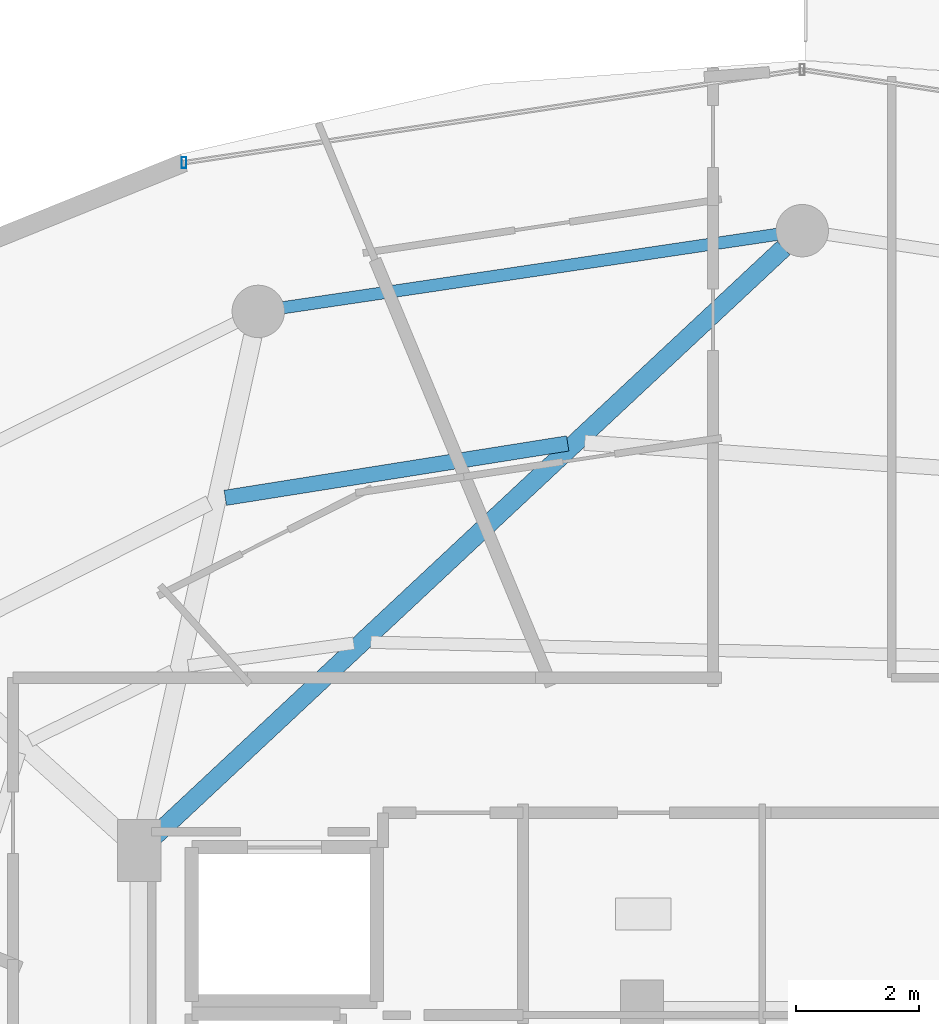
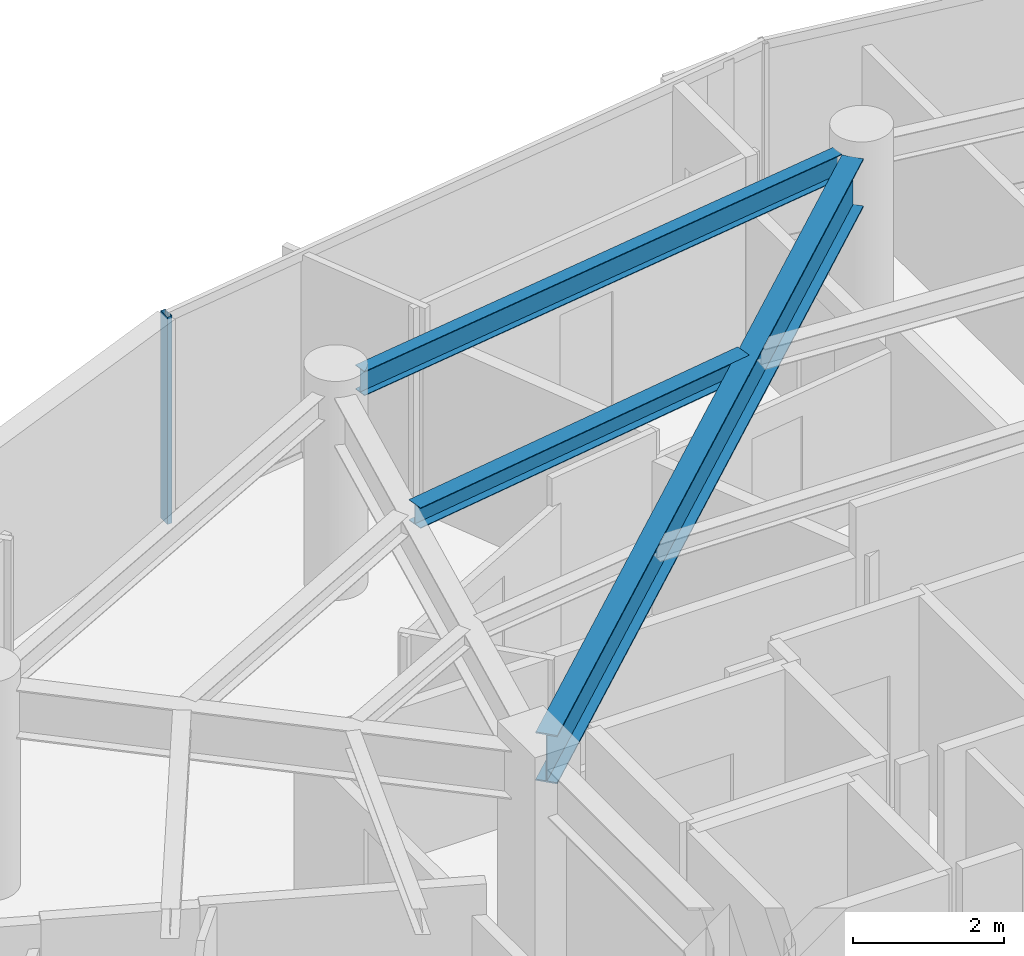
# One storey, part 18 of 31: 3 beams, 1 member, 1 element without a shape of its own.
"""IFC4 building model written with IfcOpenShell, lengths in metres."""

from ifc_helpers import new_model, si_unit, direction, frame, origin, origin_2d, place, context, subcontext, project, spatial, hollow_rectangle, i_section, extrude, material, material_profile, profile_set, type_object, element, aggregate, save


model = new_model("IFC4")

# Units and contexts
model_context = context("Model", 3, precision=1e-05, world=origin(), true_north=direction((0.0, 1.0)))
body_context = subcontext(model_context, "Body", "Model", "MODEL_VIEW")
ifc_project = project(units=[si_unit("LENGTHUNIT", "METRE"), si_unit("AREAUNIT", "SQUARE_METRE"), si_unit("VOLUMEUNIT", "CUBIC_METRE"), si_unit("PLANEANGLEUNIT", "RADIAN"), si_unit("MASSUNIT", "GRAM", prefix="KILO")], contexts=[model_context])

# Site, building, storey
site_placement = place(None, origin())
site = spatial("IfcSite", under=ifc_project, at=site_placement, CompositionType="ELEMENT")
building_placement = place(site_placement, origin())
building = spatial("IfcBuilding", under=site, at=building_placement, Name="Vorneva Point Tower", CompositionType="ELEMENT")
storey_placement = place(building_placement, frame((0.0, 0.0, 266.199951171875)))
storey = spatial("IfcBuildingStorey", under=building, at=storey_placement, Name="L72", CompositionType="ELEMENT", Elevation=266.199951171875)

# Beams
ifc_material_1 = material(Name="Steel S355", Category="steel")
ifc_material_profile_1 = material_profile(ifc_material_1, i_section(OverallWidth=0.300048828125, OverallDepth=0.7880859375, WebThickness=0.014404296875, FlangeThickness=0.02197265625, at=origin_2d()), Name="80Sh1")
ifc_profile_set_1 = profile_set([ifc_material_profile_1], Name="Steel S355")
beam_type_1 = type_object("IfcBeamType", Name="BM-GRD-80Sh1", PredefinedType="USERDEFINED", material=ifc_profile_set_1)
beam_1_placement = place(storey_placement, frame((37.6982421875, 42.91796875, 2.89599609375), z_axis=(-0.730485790946, -0.682927894602, 0.0), x_axis=(0.682927894602, -0.730485790946, 0.0)))
element("IfcBeam", 1, at=beam_1_placement, inside=storey, type_object=beam_type_1, Name="L72 Radial Primary Girder 05", ObjectType="GIRDER", PredefinedType="USERDEFINED", context=body_context, shape_type="SweptSolid", body=[
    extrude(i_section(OverallWidth=0.300048828125, OverallDepth=0.7880859375, WebThickness=0.014404296875, FlangeThickness=0.02197265625, at=origin_2d()), origin(), (0.0, 0.0, 1.0), 13.963134765625),
])
ifc_material_profile_2 = material_profile(ifc_material_1, i_section(OverallWidth=0.2490234375, OverallDepth=0.333984375, WebThickness=0.008056640625, FlangeThickness=0.010986328125, at=origin_2d()), Name="35Sh1")
ifc_profile_set_2 = profile_set([ifc_material_profile_2], Name="Steel S355")
beam_type_2 = type_object("IfcBeamType", Name="BM-SEC-35Sh1", PredefinedType="BEAM", material=ifc_profile_set_2)
beam_2_placement = place(storey_placement, frame((34.196044921875, 39.74951171875, 3.123046875), z_axis=(-0.987609689716, -0.156930241762, 0.0), x_axis=(0.156930241762, -0.987609689716, 0.0)))
element("IfcBeam", 2, at=beam_2_placement, inside=storey, type_object=beam_type_2, Name="L72 Secondary Floor Beam 1.05", PredefinedType="BEAM", context=body_context, shape_type="SweptSolid", body=[
    extrude(i_section(OverallWidth=0.2490234375, OverallDepth=0.333984375, WebThickness=0.008056640625, FlangeThickness=0.010986328125, at=origin_2d()), origin(), (0.0, 0.0, 1.0), 5.622314453125),
])
ifc_material_profile_3 = material_profile(ifc_material_1, i_section(OverallWidth=0.198974609375, OverallDepth=0.39599609375, WebThickness=0.007080078125, FlangeThickness=0.010986328125, at=origin_2d()), Name="40B1")
ifc_profile_set_3 = profile_set([ifc_material_profile_3], Name="Steel S355")
beam_type_3 = type_object("IfcBeamType", Name="BM-SPN-40B1", PredefinedType="SPANDREL", material=ifc_profile_set_3)
beam_3_placement = place(storey_placement, frame((37.594482421875, 43.139892578125, 3.092041015625), z_axis=(-0.989161657331, -0.146830567886, 0.0), x_axis=(0.146830567886, -0.989161657331, 0.0)))
element("IfcBeam", 3, at=beam_3_placement, inside=storey, type_object=beam_type_3, Name="L72 Perimeter Spandrel Ring Beam 05", PredefinedType="SPANDREL", context=body_context, shape_type="SweptSolid", body=[
    extrude(i_section(OverallWidth=0.198974609375, OverallDepth=0.39599609375, WebThickness=0.007080078125, FlangeThickness=0.010986328125, at=origin_2d()), origin(), (0.0, 0.0, 1.0), 8.097412109375),
])

# Curtain wall, member
ifc_material_2 = material(Name="Pale anodised aluminium", Category="aluminium")
curtain_wall_type = type_object("IfcCurtainWallType", Name="CW-RES-SYS", PredefinedType="NOTDEFINED", material=ifc_material_2)
curtain_wall_placement = place(storey_placement, origin())
curtain_wall = element("IfcCurtainWall", 4, at=curtain_wall_placement, inside=storey, type_object=curtain_wall_type, Name="L72 Unitised Curtain Wall CW-L72-R02", PredefinedType="NOTDEFINED")
ifc_material_profile_4 = material_profile(ifc_material_2, hollow_rectangle(XDim=0.074951171875, YDim=0.179931640625, WallThickness=0.00390625, at=origin_2d()), Name="AL-MUL 180x75x4")
ifc_profile_set_4 = profile_set([ifc_material_profile_4], Name="Pale anodised aluminium")
member_type = type_object("IfcMemberType", Name="CW-MUL-180", PredefinedType="MULLION", material=ifc_profile_set_4)
member_placement = place(storey_placement, frame((27.9736328125, 44.302001953125, -0.0400390625), z_axis=(0.0, 0.0, 1.0), x_axis=(1.0, 0.0, 0.0)))
member = element("IfcMember", 5, at=member_placement, type_object=member_type, Name="CW-L72-R02 Mullion 04", PredefinedType="MULLION", context=body_context, shape_type="SweptSolid", body=[
    extrude(hollow_rectangle(XDim=0.074951171875, YDim=0.179931640625, WallThickness=0.00390625, at=origin_2d()), origin(), (0.0, 0.0, 1.0), 3.360107421875),
])
aggregate(curtain_wall, [member])

save(model, "model.ifc")
